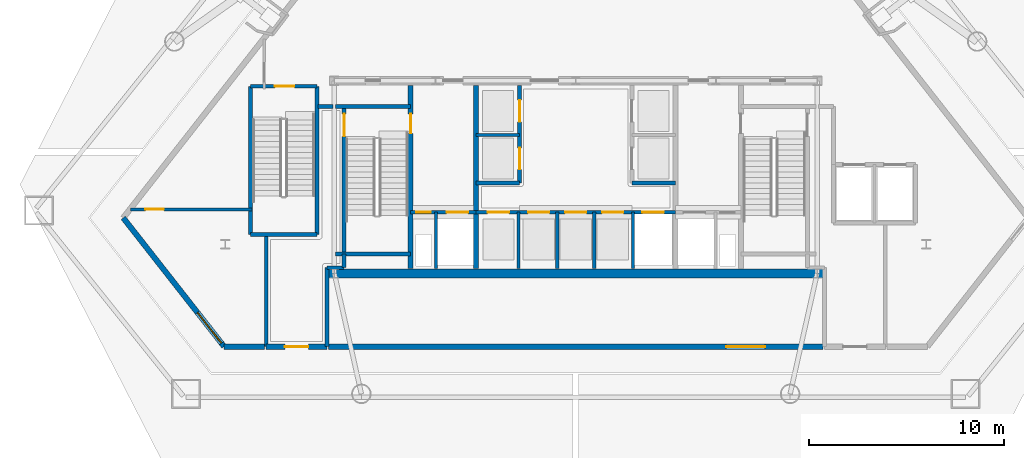
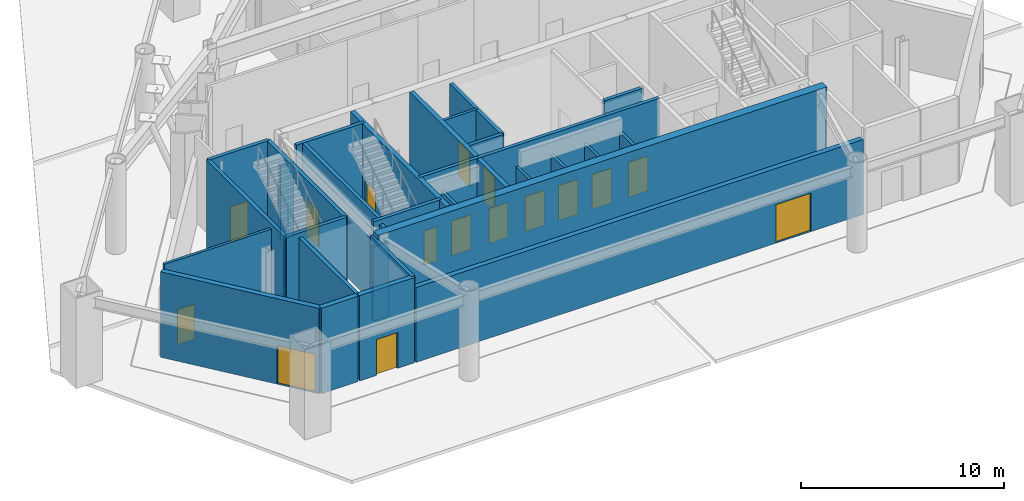
# One storey, part 4 of 9: 31 walls, 16 doors, 16 openings.
"""IFC4 building model written with IfcOpenShell, lengths in metres."""

import ifcopenshell
import ifcopenshell.guid

model = None  # the IFC model being written
_history = None  # IfcOwnerHistory: only IFC2X3 demands one
_inside = {}  # id of a spatial element -> (the spatial element, [elements in it])
_under = {}  # id of a project, library or spatial element -> (it, [spatial elements below it])
_declared = {}  # id of a project -> (the project, [libraries it declares])
_typed = {}  # id of a type object -> (the type object, [elements of that type])
_made_of = {}  # id of a material, layer set ... -> (it, [elements and type objects made of it])


def new_model(schema):
    """Start an empty IFC model of exactly this schema.

    Asked for "IFC4X3", IfcOpenShell would pick the latest addendum, in which some entities
    have other attributes; the version numbers below select the first issue.
    IFC2X3 requires an IfcOwnerHistory on every rooted entity: one is made here for all.
    """
    global model, _history
    if schema == "IFC4X3":
        model = ifcopenshell.file(schema_version=(4, 3, 0, 0))
    else:
        model = ifcopenshell.file(schema=schema)
    _inside.clear()
    _under.clear()
    _declared.clear()
    _typed.clear()
    _made_of.clear()
    _history = None
    if model.schema == "IFC2X3":
        org = make("IfcOrganization", Name="unknown")
        user = make(
            "IfcPersonAndOrganization",
            ThePerson=make("IfcPerson", FamilyName="unknown"),
            TheOrganization=org,
        )
        app = make(
            "IfcApplication",
            ApplicationDeveloper=org,
            Version="unknown",
            ApplicationFullName="unknown",
            ApplicationIdentifier="unknown",
        )
        _history = make(
            "IfcOwnerHistory",
            OwningUser=user,
            OwningApplication=app,
            ChangeAction="ADDED",
            CreationDate=0,
        )
    return model


def make(cls, **values):
    """One entity of the class cls with the attributes given. An attribute that is None is left unset."""
    return model.create_entity(
        cls, **{name: value for name, value in values.items() if value is not None}
    )


def rooted(cls, **values):
    """An entity with a GlobalId (a new one), such as an element, a storey or a relation."""
    return make(cls, GlobalId=ifcopenshell.guid.new(), OwnerHistory=_history, **values)


def si_unit(unit_type, name, prefix=None):
    """IfcSIUnit, for example si_unit("LENGTHUNIT", "METRE", prefix="MILLI")."""
    return make("IfcSIUnit", UnitType=unit_type, Prefix=prefix, Name=name)


def assignment(units):
    """IfcUnitAssignment: the units of a project."""
    return None if units is None else make("IfcUnitAssignment", Units=units)


def point(xyz):
    """IfcCartesianPoint."""
    return None if xyz is None else make("IfcCartesianPoint", Coordinates=xyz)


def direction(xyz):
    """IfcDirection."""
    return None if xyz is None else make("IfcDirection", DirectionRatios=xyz)


def frame(location, z_axis=None, x_axis=None):
    """IfcAxis2Placement3D, a coordinate frame: its origin and axes. An axis left out is left unset."""
    return make(
        "IfcAxis2Placement3D",
        Location=point(location),
        Axis=direction(z_axis),
        RefDirection=direction(x_axis),
    )


def frame_2d(location, x_axis=None):
    """IfcAxis2Placement2D, a coordinate frame in the plane: its origin and x axis."""
    return make(
        "IfcAxis2Placement2D", Location=point(location), RefDirection=direction(x_axis)
    )


def origin():
    """The frame at (0, 0, 0) with its axes left unset."""
    return frame((0.0, 0.0, 0.0))


def place(relative_to, where):
    """IfcLocalPlacement: puts the frame where relative to a parent placement (None: the world)."""
    return make(
        "IfcLocalPlacement", PlacementRelTo=relative_to, RelativePlacement=where
    )


def context(
    kind, dimensions, precision=None, world=None, true_north=None, identifier=None
):
    """IfcGeometricRepresentationContext, for example the 3D "Model" context."""
    return make(
        "IfcGeometricRepresentationContext",
        ContextIdentifier=identifier,
        ContextType=kind,
        CoordinateSpaceDimension=dimensions,
        Precision=precision,
        WorldCoordinateSystem=world,
        TrueNorth=true_north,
    )


def subcontext(parent, identifier, kind, view, scale=None):
    """IfcGeometricRepresentationSubContext, for example "Body" below "Model"."""
    return make(
        "IfcGeometricRepresentationSubContext",
        ContextIdentifier=identifier,
        ContextType=kind,
        ParentContext=parent,
        TargetScale=scale,
        TargetView=view,
    )


def project(units=None, contexts=None):
    """IfcProject with its units and contexts."""
    return rooted(
        "IfcProject",
        Name="project",
        RepresentationContexts=contexts,
        UnitsInContext=assignment(units),
    )


def spatial(cls, under=None, at=None, **own):
    """A site, building, storey or space (cls), placed at a placement, below another one or the project."""
    s = rooted(cls, ObjectPlacement=at, **own)
    if under is not None:
        _under.setdefault(under.id(), (under, []))[1].append(s)
    return s


def profile(cls, at=None, kind="AREA", **sizes):
    """A parametric profile (cls). Its sizes go by their IFC names, for example OverallWidth=200.0."""
    return make(cls, ProfileType=kind, Position=at, **sizes)


def rectangle(**sizes):
    """IfcRectangleProfileDef."""
    return profile("IfcRectangleProfileDef", **sizes)


def extrude(swept, where, along, depth):
    """IfcExtrudedAreaSolid: the profile swept, set in the frame where, extruded along a direction by depth."""
    return make(
        "IfcExtrudedAreaSolid",
        SweptArea=swept,
        Position=where,
        ExtrudedDirection=direction(along),
        Depth=depth,
    )


def shape(context_of_items, identifier, shape_type, items):
    """IfcShapeRepresentation: the items that make up one representation, for example the "Body"."""
    return make(
        "IfcShapeRepresentation",
        ContextOfItems=context_of_items,
        RepresentationIdentifier=identifier,
        RepresentationType=shape_type,
        Items=items,
    )


def material(Name=None, Category=None):
    """IfcMaterial."""
    return make("IfcMaterial", Name=Name, Category=Category)


def layer(
    of_material, thickness, ventilated=None, Name=None, Category=None, Priority=None
):
    """IfcMaterialLayer: one layer of a wall or slab, of a material (None: an air gap)."""
    return make(
        "IfcMaterialLayer",
        Material=of_material,
        LayerThickness=thickness,
        IsVentilated=ventilated,
        Name=Name,
        Category=Category,
        Priority=Priority,
    )


def layer_set(layers, Name=None):
    """IfcMaterialLayerSet."""
    return make("IfcMaterialLayerSet", MaterialLayers=layers, LayerSetName=Name)


def made_of(thing, what):
    """Note that an element or type object is made of a material, layer set ...; save() writes the relation."""
    if what is not None:
        _made_of.setdefault(what.id(), (what, []))[1].append(thing)
    return thing


def type_object(cls, material=None, **own):
    """A type object (cls), such as IfcWallType, which elements share."""
    return made_of(rooted(cls, **own), material)


def element(
    cls,
    number,
    at=None,
    inside=None,
    cuts=None,
    type_object=None,
    material=None,
    context=None,
    identifier="Body",
    shape_type=None,
    held_by="IfcProductDefinitionShape",
    body=None,
    shapes=None,
    **own,
):
    """One element of the class cls, such as IfcWall. Its Tag is "e" and its number.

    at: its placement. inside: the storey or other place that contains it. cuts: it is an
    opening in that element (IfcRelVoidsElement). A single representation is given by context,
    identifier, shape_type and body (its items); several are given by shapes. held_by: the class
    of the entity that holds the representations. save() writes the other relations.
    """
    e = rooted(cls, Tag="e%d" % number, ObjectPlacement=at, **own)
    if body is not None:
        shapes = [shape(context, identifier, shape_type, body)]
    if shapes is not None:
        e.Representation = make(held_by, Representations=shapes)
    if inside is not None:
        _inside.setdefault(inside.id(), (inside, []))[1].append(e)
    if cuts is not None:
        rooted(
            "IfcRelVoidsElement", RelatingBuildingElement=cuts, RelatedOpeningElement=e
        )
    if type_object is not None:
        _typed.setdefault(type_object.id(), (type_object, []))[1].append(e)
    return made_of(e, material)


def fill(opening, filler):
    """IfcRelFillsElement: the door or window that sits in an opening."""
    return rooted(
        "IfcRelFillsElement",
        RelatingOpeningElement=opening,
        RelatedBuildingElement=filler,
    )


def aggregate(whole, parts):
    """IfcRelAggregates: a whole, such as a stair, and the parts it consists of."""
    return rooted("IfcRelAggregates", RelatingObject=whole, RelatedObjects=parts)


def save(model, path):
    """Write the relations noted so far, then the file.

    IfcRelAggregates (storeys below a building ...), IfcRelContainedInSpatialStructure (elements
    in a storey), IfcRelDefinesByType, IfcRelAssociatesMaterial and IfcRelDeclares: one each for
    every whole, place, type object, material and project.
    """
    for whole, parts in _under.values():
        aggregate(whole, parts)
    for where, things in _inside.values():
        rooted(
            "IfcRelContainedInSpatialStructure",
            RelatedElements=things,
            RelatingStructure=where,
        )
    for kind, things in _typed.values():
        rooted("IfcRelDefinesByType", RelatedObjects=things, RelatingType=kind)
    for what, things in _made_of.values():
        rooted("IfcRelAssociatesMaterial", RelatedObjects=things, RelatingMaterial=what)
    for by, libraries in _declared.values():
        rooted("IfcRelDeclares", RelatingContext=by, RelatedDefinitions=libraries)
    model.write(path)


model = new_model("IFC4")

# Units and contexts
model_context = context("Model", 3, precision=1e-05, world=origin(), true_north=direction((0.0, 1.0)))
body_context = subcontext(model_context, "Body", "Model", "MODEL_VIEW")
ifc_project = project(units=[si_unit("LENGTHUNIT", "METRE"), si_unit("AREAUNIT", "SQUARE_METRE"), si_unit("VOLUMEUNIT", "CUBIC_METRE"), si_unit("PLANEANGLEUNIT", "RADIAN"), si_unit("MASSUNIT", "GRAM", prefix="KILO")], contexts=[model_context])

# Site, building, storey
site_placement = place(None, origin())
site = spatial("IfcSite", under=ifc_project, at=site_placement, CompositionType="ELEMENT")
building_placement = place(site_placement, origin())
building = spatial("IfcBuilding", under=site, at=building_placement, Name="Talgorran Terracotta Tower", CompositionType="ELEMENT")
storey_placement = place(building_placement, origin())
storey = spatial("IfcBuildingStorey", under=building, at=storey_placement, Name="L00", CompositionType="ELEMENT", Elevation=0.0)

# Walls
ifc_material_1 = material(Name="Concrete C50/60", Category="concrete")
ifc_layer_1 = layer(ifc_material_1, 0.199951171875, Name="WT_CORE_200")
ifc_layer_set_1 = layer_set([ifc_layer_1], Name="Concrete C50/60")
wall_type_1 = type_object("IfcWallType", Name="WT_CORE_200", PredefinedType="SOLIDWALL", material=ifc_layer_set_1)
for number, where, z_axis, x_axis, name in (
    (1, (-12.35009765625, -5.52001953125, 0.0), (0.0, 0.0, 1.0), (1.0, 0.0, 0.0), "WL-L00-CW-ST1-N"),
    (2, (-12.35009765625, -13.10009765625, 0.0), (0.0, 0.0, 1.0), (1.0, 0.0, 0.0), "WL-L00-CW-ST1-S"),
):
    element("IfcWall", number, at=place(storey_placement, frame(where, z_axis=z_axis, x_axis=x_axis)), inside=storey, type_object=wall_type_1, Name=name, PredefinedType="SOLIDWALL", context=body_context, shape_type="SweptSolid", body=[
        extrude(rectangle(XDim=3.8701171875, YDim=0.199951171875, at=frame_2d((1.93505859375, 0.0))), origin(), (0.0, 0.0, 1.0), 5.39990234375),
    ])

# Wall, opening, door
wall_1_placement = place(storey_placement, frame((-11.89990234375, -13.10009765625, 0.0), z_axis=(0.0, 0.0, 1.0), x_axis=(0.0, 1.0, 0.0)))
wall_1 = element("IfcWall", 3, at=wall_1_placement, inside=storey, type_object=wall_type_1, Name="WL-L00-CW-ST1-W", PredefinedType="SOLIDWALL", context=body_context, shape_type="SweptSolid", body=[
    extrude(rectangle(XDim=7.580078125, YDim=0.199951171875, at=frame_2d((3.7900390625, 0.0))), origin(), (0.0, 0.0, 1.0), 5.39990234375),
])
opening_1_placement = place(wall_1_placement, frame((6.050048828125, 0.0, 0.0)))
opening_1 = element("IfcOpeningElement", 4, at=opening_1_placement, cuts=wall_1, Name="Opening EX-01", PredefinedType="OPENING", context=body_context, shape_type="SweptSolid", body=[
    extrude(rectangle(XDim=1.15590234375, YDim=2.15390234375, at=frame_2d((0.574951171875, 1.076904296875))), frame((0.0, 0.10986328125, 0.0), z_axis=(0.0, -1.0, 0.0), x_axis=(1.0, 0.0, 0.0)), (0.0, 0.0, 1.0), 0.219970703125),
])
ifc_material_2 = material(Name="Steel Grade 350 (350L0)", Category="steel")
door_type_1 = type_object("IfcDoorType", Name="DT_EXIT_1150", OperationType="NOTDEFINED", PredefinedType="DOOR", material=ifc_material_2)
door_1_placement = place(opening_1_placement, origin())
door_1 = element("IfcDoor", 5, at=door_1_placement, inside=storey, type_object=door_type_1, Name="EX-01", OperationType="SINGLE_SWING_LEFT", OverallHeight=2.14990234375, OverallWidth=1.14990234375, PredefinedType="DOOR", context=body_context, shape_type="SweptSolid", body=[
    extrude(rectangle(XDim=1.14990234375, YDim=2.14990234375, at=frame_2d((0.574951171875, 1.074951171875))), frame((0.0, 0.02490234375, 0.0), z_axis=(0.0, -1.0, 0.0), x_axis=(1.0, 0.0, 0.0)), (0.0, 0.0, 1.0), 0.050048828125),
])
fill(opening_1, door_1)

# Wall, openings, doors
wall_2_placement = place(storey_placement, frame((-8.47998046875, -10.949951171875, 0.0), z_axis=(0.0, 0.0, 1.0), x_axis=(1.0, 0.0, 0.0)))
wall_2 = element("IfcWall", 6, at=wall_2_placement, inside=storey, type_object=wall_type_1, Name="WL-L00-CW-H-SBW", PredefinedType="SOLIDWALL", context=body_context, shape_type="SweptSolid", body=[
    extrude(rectangle(XDim=3.35986328125, YDim=0.199951171875, at=frame_2d((1.679931640625, 0.0))), origin(), (0.0, 0.0, 1.0), 5.39990234375),
])
opening_2_placement = place(wall_2_placement, frame((0.280029296875, 0.0, 0.0)))
opening_2 = element("IfcOpeningElement", 7, at=opening_2_placement, cuts=wall_2, Name="Opening DR-RSW", PredefinedType="OPENING", context=body_context, shape_type="SweptSolid", body=[
    extrude(rectangle(XDim=0.756, YDim=2.054048828125, at=frame_2d((0.375, 1.027099609375))), frame((0.0, 0.10986328125, 0.0), z_axis=(0.0, -1.0, 0.0), x_axis=(1.0, 0.0, 0.0)), (0.0, 0.0, 1.0), 0.219970703125),
])
opening_3_placement = place(wall_2_placement, frame((1.85009765625, 0.0, 0.0)))
opening_3 = element("IfcOpeningElement", 8, at=opening_3_placement, cuts=wall_2, Name="Opening LD-FFL1", PredefinedType="OPENING", context=body_context, shape_type="SweptSolid", body=[
    extrude(rectangle(XDim=1.10609765625, YDim=2.10409765625, at=frame_2d((0.550048828125, 1.052001953125))), frame((0.0, 0.10986328125, 0.0), z_axis=(0.0, -1.0, 0.0), x_axis=(1.0, 0.0, 0.0)), (0.0, 0.0, 1.0), 0.219970703125),
])
ifc_material_3 = material(Name="Brushed Stainless Steel Grade 304", Category="steel")
door_type_2 = type_object("IfcDoorType", Name="DT_LIFT_LD1100", OperationType="DOUBLE_DOOR_SLIDING", PredefinedType="DOOR", material=ifc_material_3)
door_2_placement = place(opening_3_placement, origin())
door_2 = element("IfcDoor", 9, at=door_2_placement, inside=storey, type_object=door_type_2, Name="L00 Lift Landing Door LD-FFL1", OperationType="DOUBLE_DOOR_SLIDING", OverallHeight=2.10009765625, OverallWidth=1.10009765625, PredefinedType="DOOR", context=body_context, shape_type="SweptSolid", body=[
    extrude(rectangle(XDim=1.10009765625, YDim=2.10009765625, at=frame_2d((0.550048828125, 1.050048828125))), frame((0.0, 0.02490234375, 0.0), z_axis=(0.0, -1.0, 0.0), x_axis=(1.0, 0.0, 0.0)), (0.0, 0.0, 1.0), 0.050048828125),
])
fill(opening_3, door_2)
ifc_material_4 = material(Name="Fire-Rated Pressed Steel", Category="steel")
door_type_3 = type_object("IfcDoorType", Name="DT_RISER_750", OperationType="NOTDEFINED", PredefinedType="DOOR", material=ifc_material_4)
door_3_placement = place(opening_2_placement, origin())
door_3 = element("IfcDoor", 10, at=door_3_placement, inside=storey, type_object=door_type_3, Name="DR-RSW", OperationType="SINGLE_SWING_LEFT", OverallHeight=2.050048828125, OverallWidth=0.75, PredefinedType="DOOR", context=body_context, shape_type="SweptSolid", body=[
    extrude(rectangle(XDim=0.75, YDim=2.050048828125, at=frame_2d((0.375, 1.02490234375))), frame((0.0, 0.02490234375, 0.0), z_axis=(0.0, -1.0, 0.0), x_axis=(1.0, 0.0, 0.0)), (0.0, 0.0, 1.0), 0.050048828125),
])
fill(opening_2, door_3)

wall_3_placement = place(storey_placement, frame((-5.1201171875, -10.949951171875, 0.0), z_axis=(0.0, 0.0, 1.0), x_axis=(1.0, 0.0, 0.0)))
wall_3 = element("IfcWall", 11, at=wall_3_placement, inside=storey, type_object=wall_type_1, Name="WL-L00-CW-H-SBC", PredefinedType="SOLIDWALL", context=body_context, shape_type="SweptSolid", body=[
    extrude(rectangle(XDim=10.240234375, YDim=0.199951171875, at=frame_2d((5.1201171875, 0.0))), origin(), (0.0, 0.0, 1.0), 5.39990234375),
])
opening_4_placement = place(wall_3_placement, frame((0.60009765625, 0.0, 0.0)))
opening_4 = element("IfcOpeningElement", 12, at=opening_4_placement, cuts=wall_3, Name="Opening LD-OB1", PredefinedType="OPENING", context=body_context, shape_type="SweptSolid", body=[
    extrude(rectangle(XDim=1.10609765625, YDim=2.10409765625, at=frame_2d((0.550048828125, 1.052001953125))), frame((0.0, 0.10986328125, 0.0), z_axis=(0.0, -1.0, 0.0), x_axis=(1.0, 0.0, 0.0)), (0.0, 0.0, 1.0), 0.219970703125),
])
opening_5_placement = place(wall_3_placement, frame((2.669921875, 0.0, 0.0)))
opening_5 = element("IfcOpeningElement", 13, at=opening_5_placement, cuts=wall_3, Name="Opening LD-PLH1", PredefinedType="OPENING", context=body_context, shape_type="SweptSolid", body=[
    extrude(rectangle(XDim=1.10609765625, YDim=2.10409765625, at=frame_2d((0.550048828125, 1.052001953125))), frame((0.0, 0.10986328125, 0.0), z_axis=(0.0, -1.0, 0.0), x_axis=(1.0, 0.0, 0.0)), (0.0, 0.0, 1.0), 0.219970703125),
])
opening_6_placement = place(wall_3_placement, frame((4.570068359375, 0.0, 0.0)))
opening_6 = element("IfcOpeningElement", 14, at=opening_6_placement, cuts=wall_3, Name="Opening LD-PLH2", PredefinedType="OPENING", context=body_context, shape_type="SweptSolid", body=[
    extrude(rectangle(XDim=1.10609765625, YDim=2.10409765625, at=frame_2d((0.550048828125, 1.052001953125))), frame((0.0, 0.10986328125, 0.0), z_axis=(0.0, -1.0, 0.0), x_axis=(1.0, 0.0, 0.0)), (0.0, 0.0, 1.0), 0.219970703125),
])
opening_7_placement = place(wall_3_placement, frame((6.469970703125, 0.0, 0.0)))
opening_7 = element("IfcOpeningElement", 15, at=opening_7_placement, cuts=wall_3, Name="Opening LD-PLH3", PredefinedType="OPENING", context=body_context, shape_type="SweptSolid", body=[
    extrude(rectangle(XDim=1.10609765625, YDim=2.10409765625, at=frame_2d((0.550048828125, 1.052001953125))), frame((0.0, 0.10986328125, 0.0), z_axis=(0.0, -1.0, 0.0), x_axis=(1.0, 0.0, 0.0)), (0.0, 0.0, 1.0), 0.219970703125),
])
opening_8_placement = place(wall_3_placement, frame((8.5400390625, 0.0, 0.0)))
opening_8 = element("IfcOpeningElement", 16, at=opening_8_placement, cuts=wall_3, Name="Opening LD-SVL1", PredefinedType="OPENING", context=body_context, shape_type="SweptSolid", body=[
    extrude(rectangle(XDim=1.10609765625, YDim=2.10409765625, at=frame_2d((0.550048828125, 1.052001953125))), frame((0.0, 0.10986328125, 0.0), z_axis=(0.0, -1.0, 0.0), x_axis=(1.0, 0.0, 0.0)), (0.0, 0.0, 1.0), 0.219970703125),
])
door_4_placement = place(opening_4_placement, origin())
door_4 = element("IfcDoor", 17, at=door_4_placement, inside=storey, type_object=door_type_2, Name="L00 Lift Landing Door LD-OB1", OperationType="DOUBLE_DOOR_SLIDING", OverallHeight=2.10009765625, OverallWidth=1.10009765625, PredefinedType="DOOR", context=body_context, shape_type="SweptSolid", body=[
    extrude(rectangle(XDim=1.10009765625, YDim=2.10009765625, at=frame_2d((0.550048828125, 1.050048828125))), frame((0.0, 0.02490234375, 0.0), z_axis=(0.0, -1.0, 0.0), x_axis=(1.0, 0.0, 0.0)), (0.0, 0.0, 1.0), 0.050048828125),
])
fill(opening_4, door_4)
door_5_placement = place(opening_5_placement, origin())
door_5 = element("IfcDoor", 18, at=door_5_placement, inside=storey, type_object=door_type_2, Name="L00 Lift Landing Door LD-PLH1", OperationType="DOUBLE_DOOR_SLIDING", OverallHeight=2.10009765625, OverallWidth=1.10009765625, PredefinedType="DOOR", context=body_context, shape_type="SweptSolid", body=[
    extrude(rectangle(XDim=1.10009765625, YDim=2.10009765625, at=frame_2d((0.550048828125, 1.050048828125))), frame((0.0, 0.02490234375, 0.0), z_axis=(0.0, -1.0, 0.0), x_axis=(1.0, 0.0, 0.0)), (0.0, 0.0, 1.0), 0.050048828125),
])
fill(opening_5, door_5)
door_6_placement = place(opening_6_placement, origin())
door_6 = element("IfcDoor", 19, at=door_6_placement, inside=storey, type_object=door_type_2, Name="L00 Lift Landing Door LD-PLH2", OperationType="DOUBLE_DOOR_SLIDING", OverallHeight=2.10009765625, OverallWidth=1.10009765625, PredefinedType="DOOR", context=body_context, shape_type="SweptSolid", body=[
    extrude(rectangle(XDim=1.10009765625, YDim=2.10009765625, at=frame_2d((0.550048828125, 1.050048828125))), frame((0.0, 0.02490234375, 0.0), z_axis=(0.0, -1.0, 0.0), x_axis=(1.0, 0.0, 0.0)), (0.0, 0.0, 1.0), 0.050048828125),
])
fill(opening_6, door_6)
door_7_placement = place(opening_7_placement, origin())
door_7 = element("IfcDoor", 20, at=door_7_placement, inside=storey, type_object=door_type_2, Name="L00 Lift Landing Door LD-PLH3", OperationType="DOUBLE_DOOR_SLIDING", OverallHeight=2.10009765625, OverallWidth=1.10009765625, PredefinedType="DOOR", context=body_context, shape_type="SweptSolid", body=[
    extrude(rectangle(XDim=1.10009765625, YDim=2.10009765625, at=frame_2d((0.550048828125, 1.050048828125))), frame((0.0, 0.02490234375, 0.0), z_axis=(0.0, -1.0, 0.0), x_axis=(1.0, 0.0, 0.0)), (0.0, 0.0, 1.0), 0.050048828125),
])
fill(opening_7, door_7)
door_8_placement = place(opening_8_placement, origin())
door_8 = element("IfcDoor", 21, at=door_8_placement, inside=storey, type_object=door_type_2, Name="L00 Lift Landing Door LD-SVL1", OperationType="DOUBLE_DOOR_SLIDING", OverallHeight=2.10009765625, OverallWidth=1.10009765625, PredefinedType="DOOR", context=body_context, shape_type="SweptSolid", body=[
    extrude(rectangle(XDim=1.10009765625, YDim=2.10009765625, at=frame_2d((0.550048828125, 1.050048828125))), frame((0.0, 0.02490234375, 0.0), z_axis=(0.0, -1.0, 0.0), x_axis=(1.0, 0.0, 0.0)), (0.0, 0.0, 1.0), 0.050048828125),
])
fill(opening_8, door_8)

wall_4_placement = place(storey_placement, frame((-2.8798828125, -9.449951171875, 0.0), z_axis=(0.0, 0.0, 1.0), x_axis=(0.0, 1.0, 0.0)))
wall_4 = element("IfcWall", 22, at=wall_4_placement, inside=storey, type_object=wall_type_1, Name="WL-L00-CW-V-W3", PredefinedType="SOLIDWALL", context=body_context, shape_type="SweptSolid", body=[
    extrude(rectangle(XDim=5.0, YDim=0.199951171875, at=frame_2d((2.5, 0.0))), origin(), (0.0, 0.0, 1.0), 5.1201171875),
])
opening_9_placement = place(wall_4_placement, frame((0.699951171875, 0.0, 0.0)))
opening_9 = element("IfcOpeningElement", 23, at=opening_9_placement, cuts=wall_4, Name="Opening LD-PLL1", PredefinedType="OPENING", context=body_context, shape_type="SweptSolid", body=[
    extrude(rectangle(XDim=1.10609765625, YDim=2.10409765625, at=frame_2d((0.550048828125, 1.052001953125))), frame((0.0, 0.10986328125, 0.0), z_axis=(0.0, -1.0, 0.0), x_axis=(1.0, 0.0, 0.0)), (0.0, 0.0, 1.0), 0.219970703125),
])
opening_10_placement = place(wall_4_placement, frame((3.14990234375, 0.0, 0.0)))
opening_10 = element("IfcOpeningElement", 24, at=opening_10_placement, cuts=wall_4, Name="Opening LD-PLL2", PredefinedType="OPENING", context=body_context, shape_type="SweptSolid", body=[
    extrude(rectangle(XDim=1.10609765625, YDim=2.10409765625, at=frame_2d((0.550048828125, 1.052001953125))), frame((0.0, 0.10986328125, 0.0), z_axis=(0.0, -1.0, 0.0), x_axis=(1.0, 0.0, 0.0)), (0.0, 0.0, 1.0), 0.219970703125),
])
door_9_placement = place(opening_9_placement, origin())
door_9 = element("IfcDoor", 25, at=door_9_placement, inside=storey, type_object=door_type_2, Name="L00 Lift Landing Door LD-PLL1", OperationType="DOUBLE_DOOR_SLIDING", OverallHeight=2.10009765625, OverallWidth=1.10009765625, PredefinedType="DOOR", context=body_context, shape_type="SweptSolid", body=[
    extrude(rectangle(XDim=1.10009765625, YDim=2.10009765625, at=frame_2d((0.550048828125, 1.050048828125))), frame((0.0, 0.02490234375, 0.0), z_axis=(0.0, -1.0, 0.0), x_axis=(1.0, 0.0, 0.0)), (0.0, 0.0, 1.0), 0.050048828125),
])
fill(opening_9, door_9)
door_10_placement = place(opening_10_placement, origin())
door_10 = element("IfcDoor", 26, at=door_10_placement, inside=storey, type_object=door_type_2, Name="L00 Lift Landing Door LD-PLL2", OperationType="DOUBLE_DOOR_SLIDING", OverallHeight=2.10009765625, OverallWidth=1.10009765625, PredefinedType="DOOR", context=body_context, shape_type="SweptSolid", body=[
    extrude(rectangle(XDim=1.10009765625, YDim=2.10009765625, at=frame_2d((0.550048828125, 1.050048828125))), frame((0.0, 0.02490234375, 0.0), z_axis=(0.0, -1.0, 0.0), x_axis=(1.0, 0.0, 0.0)), (0.0, 0.0, 1.0), 0.050048828125),
])
fill(opening_10, door_10)

# Walls
for number, where, z_axis, x_axis, name in (
    (27, (-5.1201171875, -9.449951171875, 0.0), (0.0, 0.0, 1.0), (1.0, 0.0, 0.0), "WL-L00-CW-H-W4"),
    (28, (2.8798828125, -9.449951171875, 0.0), (0.0, 0.0, 1.0), (1.0, 0.0, 0.0), "WL-L00-CW-H-E4"),
):
    element("IfcWall", number, at=place(storey_placement, frame(where, z_axis=z_axis, x_axis=x_axis)), inside=storey, type_object=wall_type_1, Name=name, PredefinedType="SOLIDWALL", context=body_context, shape_type="SweptSolid", body=[
        extrude(rectangle(XDim=2.240234375, YDim=0.199951171875, at=frame_2d((1.1201171875, 0.0))), origin(), (0.0, 0.0, 1.0), 5.1201171875),
    ])
for number, where, z_axis, x_axis, name in (
    (29, (-16.699951171875, -12.10009765625, 0.0), (0.0, 0.0, 1.0), (0.0, 1.0, 0.0), "WL-L00-PW-ST3-W"),
    (30, (-13.300048828125, -12.10009765625, 0.0), (0.0, 0.0, 1.0), (0.0, 1.0, 0.0), "WL-L00-PW-ST3-E"),
):
    element("IfcWall", number, at=place(storey_placement, frame(where, z_axis=z_axis, x_axis=x_axis)), inside=storey, type_object=wall_type_1, Name=name, PredefinedType="SOLIDWALL", context=body_context, shape_type="SweptSolid", body=[
        extrude(rectangle(XDim=7.6201171875, YDim=0.199951171875, at=frame_2d((3.81005859375, 0.0))), origin(), (0.0, 0.0, 1.0), 5.39990234375),
    ])
wall_5_placement = place(storey_placement, frame((-15.89990234375, -17.85009765625, 0.0), z_axis=(0.0, 0.0, 1.0), x_axis=(0.0, 1.0, 0.0)))
element("IfcWall", 31, at=wall_5_placement, inside=storey, type_object=wall_type_1, Name="WL-L00-PW-EXPW-W2", PredefinedType="SOLIDWALL", context=body_context, shape_type="SweptSolid", body=[
    extrude(rectangle(XDim=5.72998046875, YDim=0.199951171875, at=frame_2d((2.864990234375, 0.0))), origin(), (0.0, 0.0, 1.0), 5.1201171875),
])
wall_6_placement = place(storey_placement, frame((-12.780029296875, -17.85009765625, 0.0), z_axis=(0.0, 0.0, 1.0), x_axis=(0.0, 1.0, 0.0)))
element("IfcWall", 32, at=wall_6_placement, inside=storey, type_object=wall_type_1, Name="WL-L00-PW-EXPW-E2", PredefinedType="SOLIDWALL", context=body_context, shape_type="SweptSolid", body=[
    extrude(rectangle(XDim=4.050048828125, YDim=0.199951171875, at=frame_2d((2.02490234375, 0.0))), origin(), (0.0, 0.0, 1.0), 5.1201171875),
])
wall_7_placement = place(storey_placement, frame((-16.699951171875, -12.10009765625, 0.0), z_axis=(0.0, 0.0, 1.0), x_axis=(1.0, 0.0, 0.0)))
element("IfcWall", 33, at=wall_7_placement, inside=storey, type_object=wall_type_1, Name="WL-L00-PW-ST3-S", PredefinedType="SOLIDWALL", context=body_context, shape_type="SweptSolid", body=[
    extrude(rectangle(XDim=3.39990234375, YDim=0.199951171875, at=frame_2d((1.699951171875, 0.0))), origin(), (0.0, 0.0, 1.0), 5.39990234375),
])

# Wall, opening, door
wall_8_placement = place(storey_placement, frame((-16.699951171875, -4.47998046875, 0.0), z_axis=(0.0, 0.0, 1.0), x_axis=(1.0, 0.0, 0.0)))
wall_8 = element("IfcWall", 34, at=wall_8_placement, inside=storey, type_object=wall_type_1, Name="WL-L00-PW-ST3-N", PredefinedType="SOLIDWALL", context=body_context, shape_type="SweptSolid", body=[
    extrude(rectangle(XDim=3.39990234375, YDim=0.199951171875, at=frame_2d((1.699951171875, 0.0))), origin(), (0.0, 0.0, 1.0), 5.39990234375),
])
opening_11_placement = place(wall_8_placement, frame((1.25, 0.0, 0.0)))
opening_11 = element("IfcOpeningElement", 35, at=opening_11_placement, cuts=wall_8, Name="Opening DR-ST03", PredefinedType="OPENING", context=body_context, shape_type="SweptSolid", body=[
    extrude(rectangle(XDim=1.006, YDim=2.10409765625, at=frame_2d((0.5, 1.052001953125))), frame((0.0, 0.10986328125, 0.0), z_axis=(0.0, -1.0, 0.0), x_axis=(1.0, 0.0, 0.0)), (0.0, 0.0, 1.0), 0.219970703125),
])
door_type_4 = type_object("IfcDoorType", Name="DT_FIRE_1000", OperationType="NOTDEFINED", PredefinedType="DOOR", material=ifc_material_4)
door_11_placement = place(opening_11_placement, origin())
door_11 = element("IfcDoor", 36, at=door_11_placement, inside=storey, type_object=door_type_4, Name="DR-ST03", OperationType="SINGLE_SWING_LEFT", OverallHeight=2.10009765625, OverallWidth=1.0, PredefinedType="DOOR", context=body_context, shape_type="SweptSolid", body=[
    extrude(rectangle(XDim=1.0, YDim=2.10009765625, at=frame_2d((0.5, 1.050048828125))), frame((0.0, 0.02490234375, 0.0), z_axis=(0.0, -1.0, 0.0), x_axis=(1.0, 0.0, 0.0)), (0.0, 0.0, 1.0), 0.050048828125),
])
fill(opening_11, door_11)

# Walls
wall_9_placement = place(storey_placement, frame((-12.780029296875, -13.800048828125, 0.0), z_axis=(0.0, 0.0, 1.0), x_axis=(1.0, 0.0, 0.0)))
element("IfcWall", 37, at=wall_9_placement, inside=storey, type_object=wall_type_1, Name="WL-L00-PW-EXPW-S1", PredefinedType="SOLIDWALL", context=body_context, shape_type="SweptSolid", body=[
    extrude(rectangle(XDim=0.880126953125, YDim=0.199951171875, at=frame_2d((0.43994140625, 0.0))), origin(), (0.0, 0.0, 1.0), 4.4833984375),
])
wall_10_placement = place(storey_placement, frame((-13.25, -5.52001953125, 0.0), z_axis=(0.0, 0.0, 1.0), x_axis=(1.0, 0.0, 0.0)))
element("IfcWall", 38, at=wall_10_placement, inside=storey, type_object=wall_type_1, Name="WL-L00-PW-EXPW-N", PredefinedType="SOLIDWALL", context=body_context, shape_type="SweptSolid", body=[
    extrude(rectangle(XDim=0.77001953125, YDim=0.199951171875, at=frame_2d((0.385009765625, 0.0))), origin(), (0.0, 0.0, 1.0), 4.4833984375),
])
wall_11_placement = place(storey_placement, frame((-11.89990234375, -13.800048828125, 0.0), z_axis=(0.0, 0.0, 1.0), x_axis=(0.0, 1.0, 0.0)))
element("IfcWall", 39, at=wall_11_placement, inside=storey, type_object=wall_type_1, Name="WL-L00-PW-EXPW-E1", PredefinedType="SOLIDWALL", context=body_context, shape_type="SweptSolid", body=[
    extrude(rectangle(XDim=0.699951171875, YDim=0.199951171875, at=frame_2d((0.35009765625, 0.0))), origin(), (0.0, 0.0, 1.0), 5.1201171875),
])

# Wall, opening, door
ifc_layer_2 = layer(ifc_material_1, 0.25, Name="WT_CORE_250")
ifc_layer_set_2 = layer_set([ifc_layer_2], Name="Concrete C50/60")
wall_type_2 = type_object("IfcWallType", Name="WT_CORE_250", PredefinedType="SHEAR", material=ifc_layer_set_2)
wall_12_placement = place(storey_placement, frame((-8.47998046875, -13.85009765625, 0.0), z_axis=(0.0, 0.0, 1.0), x_axis=(0.0, 1.0, 0.0)))
wall_12 = element("IfcWall", 40, at=wall_12_placement, inside=storey, type_object=wall_type_2, Name="WL-L00-CW-V-W1", PredefinedType="SHEAR", context=body_context, shape_type="SweptSolid", body=[
    extrude(rectangle(XDim=9.400146484375, YDim=0.25, at=frame_2d((4.7001953125, 0.0))), origin(), (0.0, 0.0, 1.0), 5.39990234375),
])
opening_12_placement = place(wall_12_placement, frame((6.949951171875, 0.0, 0.0)))
opening_12 = element("IfcOpeningElement", 41, at=opening_12_placement, cuts=wall_12, Name="Opening DR-ST01", PredefinedType="OPENING", context=body_context, shape_type="SweptSolid", body=[
    extrude(rectangle(XDim=1.006, YDim=2.10409765625, at=frame_2d((0.5, 1.052001953125))), frame((0.0, 0.135009765625, 0.0), z_axis=(0.0, -1.0, 0.0), x_axis=(1.0, 0.0, 0.0)), (0.0, 0.0, 1.0), 0.27001953125),
])
door_12_placement = place(opening_12_placement, origin())
door_12 = element("IfcDoor", 42, at=door_12_placement, inside=storey, type_object=door_type_4, Name="DR-ST01", OperationType="SINGLE_SWING_LEFT", OverallHeight=2.10009765625, OverallWidth=1.0, PredefinedType="DOOR", context=body_context, shape_type="SweptSolid", body=[
    extrude(rectangle(XDim=1.0, YDim=2.10009765625, at=frame_2d((0.5, 1.050048828125))), frame((0.0, 0.02490234375, 0.0), z_axis=(0.0, -1.0, 0.0), x_axis=(1.0, 0.0, 0.0)), (0.0, 0.0, 1.0), 0.050048828125),
])
fill(opening_12, door_12)

# Walls
wall_13_placement = place(storey_placement, frame((-5.1201171875, -13.85009765625, 0.0), z_axis=(0.0, 0.0, 1.0), x_axis=(0.0, 1.0, 0.0)))
element("IfcWall", 43, at=wall_13_placement, inside=storey, type_object=wall_type_2, Name="WL-L00-CW-V-W2", PredefinedType="SHEAR", context=body_context, shape_type="SweptSolid", body=[
    extrude(rectangle(XDim=9.400146484375, YDim=0.25, at=frame_2d((4.7001953125, 0.0))), origin(), (0.0, 0.0, 1.0), 5.39990234375),
])
ifc_material_5 = material(Name="Concrete C65/80", Category="concrete")
ifc_layer_3 = layer(ifc_material_5, 0.449951171875, Name="WT_CORE_EXT")
ifc_layer_set_3 = layer_set([ifc_layer_3], Name="Concrete C65/80")
wall_type_3 = type_object("IfcWallType", Name="WT_CORE_EXT", PredefinedType="SHEAR", material=ifc_layer_set_3)
wall_14_placement = place(storey_placement, frame((-12.75, -14.10009765625, 0.0), z_axis=(0.0, 0.0, 1.0), x_axis=(1.0, 0.0, 0.0)))
element("IfcWall", 44, at=wall_14_placement, inside=storey, type_object=wall_type_3, Name="WL-L00-CW-OUT-S", PredefinedType="SHEAR", context=body_context, shape_type="SweptSolid", body=[
    extrude(rectangle(XDim=25.5, YDim=0.449951171875, at=frame_2d((12.75, 0.0))), origin(), (0.0, 0.0, 1.0), 5.39990234375),
])

# Wall, opening, door
ifc_material_6 = material(Name="Fire-Rated Steel Stud Plasterboard", Category="steel")
ifc_layer_4 = layer(ifc_material_6, 0.14990234375, Name="WT_FIRE_150")
ifc_layer_set_4 = layer_set([ifc_layer_4], Name="Fire-Rated Steel Stud Plasterboard")
wall_type_4 = type_object("IfcWallType", Name="WT_FIRE_150", PredefinedType="PARTITIONING", material=ifc_layer_set_4)
wall_15_placement = place(storey_placement, frame((-22.861572265625, -10.800048828125, 0.0), z_axis=(0.0, 0.0, 1.0), x_axis=(1.0, 0.0, 0.0)))
wall_15 = element("IfcWall", 45, at=wall_15_placement, inside=storey, type_object=wall_type_4, Name="WL-L00-W-L00-R07", PredefinedType="PARTITIONING", context=body_context, shape_type="SweptSolid", body=[
    extrude(rectangle(XDim=6.2216796875, YDim=0.14990234375, at=frame_2d((3.11083984375, 0.0))), origin(), (0.0, 0.0, 1.0), 5.1201171875),
])
opening_13_placement = place(wall_15_placement, frame((0.75830078125, 0.0, 0.0)))
opening_13 = element("IfcOpeningElement", 46, at=opening_13_placement, cuts=wall_15, Name="Opening DR-L00-R01", PredefinedType="OPENING", context=body_context, shape_type="SweptSolid", body=[
    extrude(rectangle(XDim=0.955951171875, YDim=2.10409765625, at=frame_2d((0.47509765625, 1.052001953125))), frame((0.0, 0.0849609375, 0.0), z_axis=(0.0, -1.0, 0.0), x_axis=(1.0, 0.0, 0.0)), (0.0, 0.0, 1.0), 0.169921875),
])
ifc_material_7 = material(Name="Fire-Rated Timber Core", Category="wood")
door_type_5 = type_object("IfcDoorType", Name="DT_FIRE_950", OperationType="NOTDEFINED", PredefinedType="DOOR", material=ifc_material_7)
door_13_placement = place(opening_13_placement, origin())
door_13 = element("IfcDoor", 47, at=door_13_placement, inside=storey, type_object=door_type_5, Name="DR-L00-R01", OperationType="SINGLE_SWING_LEFT", OverallHeight=2.10009765625, OverallWidth=0.949951171875, PredefinedType="DOOR", context=body_context, shape_type="SweptSolid", body=[
    extrude(rectangle(XDim=0.949951171875, YDim=2.10009765625, at=frame_2d((0.47509765625, 1.050048828125))), frame((0.0, 0.02490234375, 0.0), z_axis=(0.0, -1.0, 0.0), x_axis=(1.0, 0.0, 0.0)), (0.0, 0.0, 1.0), 0.050048828125),
])
fill(opening_13, door_13)

# Walls
ifc_material_8 = material(Name="Fire-Rated Shaftwall")
ifc_layer_5 = layer(ifc_material_8, 0.159912109375, Name="WT_PART_150")
ifc_layer_set_5 = layer_set([ifc_layer_5], Name="Fire-Rated Shaftwall")
wall_type_5 = type_object("IfcWallType", Name="WT_PART_150", PredefinedType="PARTITIONING", material=ifc_layer_set_5)
wall_16_placement = place(storey_placement, frame((-5.1201171875, -6.97998046875, 0.0), z_axis=(0.0, 0.0, 1.0), x_axis=(1.0, 0.0, 0.0)))
element("IfcWall", 48, at=wall_16_placement, inside=storey, type_object=wall_type_5, Name="WL-L00-CW-PLL-DIV", PredefinedType="PARTITIONING", context=body_context, shape_type="SweptSolid", body=[
    extrude(rectangle(XDim=2.240234375, YDim=0.159912109375, at=frame_2d((1.1201171875, 0.0))), origin(), (0.0, 0.0, 1.0), 5.1201171875),
])
for number, where, z_axis, x_axis, name in (
    (49, (-7.179931640625, -13.85009765625, 0.0), (0.0, 0.0, 1.0), (0.0, 1.0, 0.0), "WL-L00-CW-RSW"),
    (50, (-2.949951171875, -13.85009765625, 0.0), (0.0, 0.0, 1.0), (0.0, 1.0, 0.0), "WL-L00-CW-OB-E"),
    (51, (2.949951171875, -13.85009765625, 0.0), (0.0, 0.0, 1.0), (0.0, 1.0, 0.0), "WL-L00-CW-SV-W"),
    (52, (-0.949951171875, -13.85009765625, 0.0), (0.0, 0.0, 1.0), (0.0, 1.0, 0.0), "WL-L00-CW-PLH-D1"),
    (53, (0.949951171875, -13.85009765625, 0.0), (0.0, 0.0, 1.0), (0.0, 1.0, 0.0), "WL-L00-CW-PLH-D2"),
):
    element("IfcWall", number, at=place(storey_placement, frame(where, z_axis=z_axis, x_axis=x_axis)), inside=storey, type_object=wall_type_5, Name=name, PredefinedType="PARTITIONING", context=body_context, shape_type="SweptSolid", body=[
        extrude(rectangle(XDim=2.900146484375, YDim=0.159912109375, at=frame_2d((1.4501953125, 0.0))), origin(), (0.0, 0.0, 1.0), 4.14501953125),
    ])

# Wall, opening, door
ifc_material_9 = material(Name="Concrete C40/50", Category="concrete")
ifc_layer_6 = layer(ifc_material_9, 0.280029296875, Name="WT_PAVILION_TERRA")
ifc_layer_set_6 = layer_set([ifc_layer_6], Name="Concrete C40/50")
wall_type_6 = type_object("IfcWallType", Name="WT_PAVILION_TERRA", PredefinedType="STANDARD", material=ifc_layer_set_6)
wall_17_placement = place(storey_placement, frame((-18.06298828125, -17.85009765625, -0.014892578125), z_axis=(0.0, 0.0, 1.0), x_axis=(-0.616936653938, 0.787012811222, 0.0)))
wall_17 = element("IfcWall", 54, at=wall_17_placement, inside=storey, type_object=wall_type_6, Name="WL-L00-PAV-1", PredefinedType="STANDARD", context=body_context, shape_type="SweptSolid", body=[
    extrude(rectangle(XDim=8.39892578125, YDim=0.280029296875, at=frame_2d((4.199462890625, 0.0))), origin(), (0.0, 0.0, 1.0), 5.135009765625),
])
opening_14_placement = place(wall_17_placement, frame((0.219970703125, 0.0, 0.014892578125)))
opening_14 = element("IfcOpeningElement", 55, at=opening_14_placement, cuts=wall_17, Name="Opening D-L00-EX03", PredefinedType="OPENING", context=body_context, shape_type="SweptSolid", body=[
    extrude(rectangle(XDim=2.006, YDim=2.304048828125, at=frame_2d((1.0, 1.152099609375))), frame((0.0, 0.14990234375, 0.0), z_axis=(0.0, -1.0, 0.0), x_axis=(1.0, 0.0, 0.0)), (0.0, 0.0, 1.0), 0.300048828125),
])
ifc_material_10 = material(Name="Architectural Glazed Aluminium", Category="aluminium")
door_type_6 = type_object("IfcDoorType", Name="DT_ENTRY_2000", OperationType="DOUBLE_DOOR_SINGLE_SWING", PredefinedType="DOOR", material=ifc_material_10)
door_14_placement = place(opening_14_placement, origin())
door_14 = element("IfcDoor", 56, at=door_14_placement, inside=storey, type_object=door_type_6, Name="DR-L00-EX03", OperationType="DOUBLE_DOOR_SINGLE_SWING", OverallHeight=2.300048828125, OverallWidth=2.0, PredefinedType="DOOR", context=body_context, shape_type="SweptSolid", body=[
    extrude(rectangle(XDim=2.0, YDim=2.300048828125, at=frame_2d((1.0, 1.14990234375))), frame((0.0, 0.02490234375, 0.0), z_axis=(0.0, -1.0, 0.0), x_axis=(1.0, 0.0, 0.0)), (0.0, 0.0, 1.0), 0.050048828125),
])
fill(opening_14, door_14)

# Wall
wall_18_placement = place(storey_placement, frame((-15.97998046875, -17.85009765625, -0.014892578125), z_axis=(0.0, 0.0, 1.0), x_axis=(-1.0, 0.0, 0.0)))
element("IfcWall", 57, at=wall_18_placement, inside=storey, type_object=wall_type_6, Name="WL-L00-PAV-2", PredefinedType="STANDARD", context=body_context, shape_type="SweptSolid", body=[
    extrude(rectangle(XDim=2.0830078125, YDim=0.280029296875, at=frame_2d((1.04150390625, 0.0))), origin(), (0.0, 0.0, 1.0), 5.135009765625),
])

# Wall, opening, door
wall_19_placement = place(storey_placement, frame((12.699951171875, -17.85009765625, -0.014892578125), z_axis=(0.0, 0.0, 1.0), x_axis=(-1.0, 0.0, 0.0)))
wall_19 = element("IfcWall", 58, at=wall_19_placement, inside=storey, type_object=wall_type_6, Name="WL-L00-PAV-3", PredefinedType="STANDARD", context=body_context, shape_type="SweptSolid", body=[
    extrude(rectangle(XDim=25.39990234375, YDim=0.280029296875, at=frame_2d((12.699951171875, 0.0))), origin(), (0.0, 0.0, 1.0), 4.498291015625),
])
opening_15_placement = place(wall_19_placement, frame((2.970458984375, 0.0, 0.014892578125)))
opening_15 = element("IfcOpeningElement", 59, at=opening_15_placement, cuts=wall_19, Name="Opening D-L00-EX04", PredefinedType="OPENING", context=body_context, shape_type="SweptSolid", body=[
    extrude(rectangle(XDim=2.006, YDim=2.304048828125, at=frame_2d((1.0, 1.152099609375))), frame((0.0, 0.14990234375, 0.0), z_axis=(0.0, -1.0, 0.0), x_axis=(1.0, 0.0, 0.0)), (0.0, 0.0, 1.0), 0.300048828125),
])
door_15_placement = place(opening_15_placement, origin())
door_15 = element("IfcDoor", 60, at=door_15_placement, inside=storey, type_object=door_type_6, Name="DR-L00-EX04", OperationType="DOUBLE_DOOR_SINGLE_SWING", OverallHeight=2.300048828125, OverallWidth=2.0, PredefinedType="DOOR", context=body_context, shape_type="SweptSolid", body=[
    extrude(rectangle(XDim=2.0, YDim=2.300048828125, at=frame_2d((1.0, 1.14990234375))), frame((0.0, 0.02490234375, 0.0), z_axis=(0.0, -1.0, 0.0), x_axis=(1.0, 0.0, 0.0)), (0.0, 0.0, 1.0), 0.050048828125),
])
fill(opening_15, door_15)

wall_20_placement = place(storey_placement, frame((-12.780029296875, -17.85009765625, 0.0), z_axis=(0.0, 0.0, 1.0), x_axis=(-1.0, 0.0, 0.0)))
wall_20 = element("IfcWall", 61, at=wall_20_placement, inside=storey, type_object=wall_type_6, Name="WL-L00-EXPW-EXT", PredefinedType="STANDARD", context=body_context, shape_type="SweptSolid", body=[
    extrude(rectangle(XDim=3.119873046875, YDim=0.280029296875, at=frame_2d((1.56005859375, 0.0))), origin(), (0.0, 0.0, 1.0), 5.1201171875),
])
opening_16_placement = place(wall_20_placement, frame((0.9599609375, 0.0, 0.0)))
opening_16 = element("IfcOpeningElement", 62, at=opening_16_placement, cuts=wall_20, Name="Opening DR-L00-EXPW", PredefinedType="OPENING", context=body_context, shape_type="SweptSolid", body=[
    extrude(rectangle(XDim=1.205951171875, YDim=2.15390234375, at=frame_2d((0.60009765625, 1.076904296875))), frame((0.0, 0.14990234375, 0.0), z_axis=(0.0, -1.0, 0.0), x_axis=(1.0, 0.0, 0.0)), (0.0, 0.0, 1.0), 0.300048828125),
])
door_type_7 = type_object("IfcDoorType", Name="DT_EXIT_1200", OperationType="NOTDEFINED", PredefinedType="DOOR", material=ifc_material_2)
door_16_placement = place(opening_16_placement, origin())
door_16 = element("IfcDoor", 63, at=door_16_placement, inside=storey, type_object=door_type_7, Name="West Stair Exit Discharge Door", OperationType="SINGLE_SWING_LEFT", OverallHeight=2.14990234375, OverallWidth=1.199951171875, PredefinedType="DOOR", context=body_context, shape_type="SweptSolid", body=[
    extrude(rectangle(XDim=1.199951171875, YDim=2.14990234375, at=frame_2d((0.60009765625, 1.074951171875))), frame((0.0, 0.02490234375, 0.0), z_axis=(0.0, -1.0, 0.0), x_axis=(1.0, 0.0, 0.0)), (0.0, 0.0, 1.0), 0.050048828125),
])
fill(opening_16, door_16)

save(model, "model.ifc")
